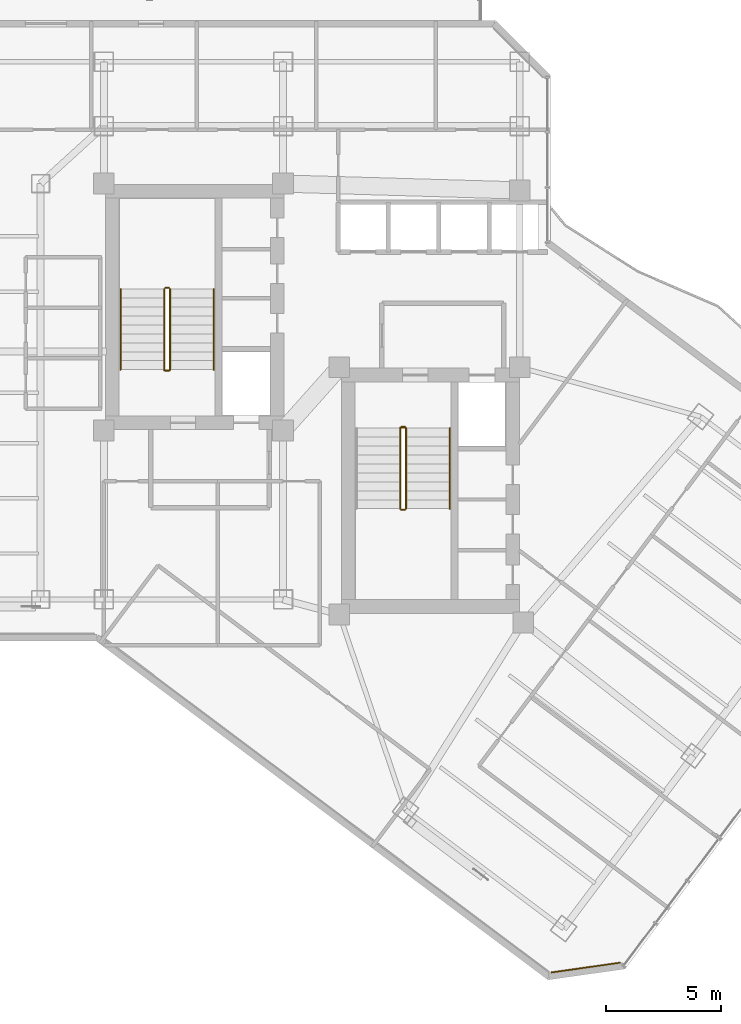
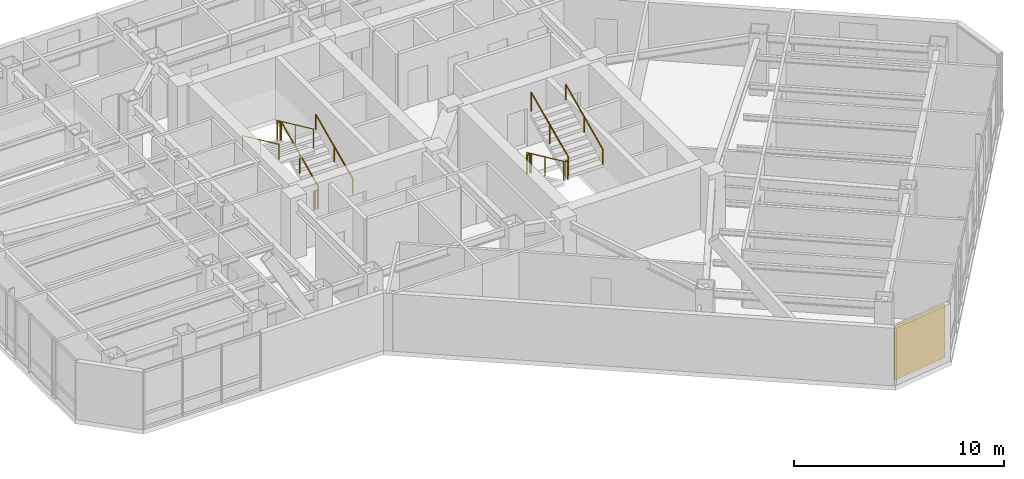
# One storey, part 27 of 29: 13 railings, 1 covering.
"""IFC4 building model written with IfcOpenShell, lengths in metres."""

from ifc_helpers import new_model, si_unit, direction, frame, origin, origin_2d, place, context, subcontext, project, spatial, rectangle, circle, extrude, material, layer, layer_set, type_object, element, save


model = new_model("IFC4")

# Units and contexts
model_context = context("Model", 3, precision=1e-05, world=origin(), true_north=direction((0.0, 1.0)))
body_context = subcontext(model_context, "Body", "Model", "MODEL_VIEW")
ifc_project = project(units=[si_unit("LENGTHUNIT", "METRE"), si_unit("AREAUNIT", "SQUARE_METRE"), si_unit("VOLUMEUNIT", "CUBIC_METRE"), si_unit("PLANEANGLEUNIT", "RADIAN"), si_unit("MASSUNIT", "GRAM", prefix="KILO")], contexts=[model_context])

# Site, building, storey
site_placement = place(None, origin())
site = spatial("IfcSite", under=ifc_project, at=site_placement, CompositionType="ELEMENT")
building_placement = place(site_placement, origin())
building = spatial("IfcBuilding", under=site, at=building_placement, Name="Hatsunagi Terrace Concourse", CompositionType="ELEMENT")
storey_placement = place(building_placement, frame((0.0, 0.0, 149.25)))
storey = spatial("IfcBuildingStorey", under=building, at=storey_placement, Name="L39", CompositionType="ELEMENT", Elevation=149.25)

# Railings
ifc_material_1 = material(Name="Stainless steel", Category="steel")
ifc_layer_1 = layer(ifc_material_1, 0.044921875)
ifc_layer_set_1 = layer_set([ifc_layer_1], Name="StairPitchHandrail_Tower2000")
railing_type_1 = type_object("IfcRailingType", Name="StairPitchHandrail_Tower2000", PredefinedType="HANDRAIL", material=ifc_layer_set_1)
railing_1_placement = place(storey_placement, frame((30.330078125, 35.199951171875, 0.179931640625)))
element("IfcRailing", 1, at=railing_1_placement, inside=storey, type_object=railing_type_1, Name="L39 ST-A stair handrail 1", PredefinedType="HANDRAIL", context=body_context, shape_type="SweptSolid", body=[
    extrude(circle(Radius=0.02392578125, at=origin_2d()), frame((0.0, 0.0, 0.8759765625), z_axis=(0.0, 0.907948293929, 0.419082206198), x_axis=(-1.0, 0.0, 0.0)), (0.0, 0.0, 1.0), 3.865966796875),
    extrude(circle(Radius=0.02099609375, at=origin_2d()), origin(), (0.0, 0.0, 1.0), 0.851806640625),
    extrude(circle(Radius=0.02099609375, at=origin_2d()), frame((0.0, 1.7548828125, 0.81005859375)), (0.0, 0.0, 1.0), 0.851806640625),
    extrude(circle(Radius=0.02099609375, at=origin_2d()), frame((0.0, 3.510009765625, 1.6201171875)), (0.0, 0.0, 1.0), 0.851806640625),
])
railing_2_placement = place(storey_placement, frame((26.280029296875, 38.7099609375, 1.97998046875)))
element("IfcRailing", 2, at=railing_2_placement, inside=storey, type_object=railing_type_1, Name="L39 ST-A stair handrail 2", PredefinedType="HANDRAIL", context=body_context, shape_type="SweptSolid", body=[
    extrude(circle(Radius=0.02392578125, at=origin_2d()), frame((0.0, 0.0, 0.8759765625), z_axis=(0.0, -0.907948293929, 0.419082206198), x_axis=(1.0, 0.0, 0.0)), (0.0, 0.0, 1.0), 3.865966796875),
    extrude(circle(Radius=0.02099609375, at=origin_2d()), origin(), (0.0, 0.0, 1.0), 0.851806640625),
    extrude(circle(Radius=0.02099609375, at=origin_2d()), frame((0.0, -1.7548828125, 0.81005859375)), (0.0, 0.0, 1.0), 0.851806640625),
    extrude(circle(Radius=0.02099609375, at=origin_2d()), frame((0.0, -3.510009765625, 1.6201171875)), (0.0, 0.0, 1.0), 0.851806640625),
])
railing_3_placement = place(storey_placement, frame((40.60009765625, 29.14990234375, 1.97998046875)))
element("IfcRailing", 3, at=railing_3_placement, inside=storey, type_object=railing_type_1, Name="L39 ST-B stair handrail 2", PredefinedType="HANDRAIL", context=body_context, shape_type="SweptSolid", body=[
    extrude(circle(Radius=0.02392578125, at=origin_2d()), frame((0.0, 0.0, 0.8759765625), z_axis=(0.0, 0.907948293929, 0.419082206198), x_axis=(-1.0, 0.0, 0.0)), (0.0, 0.0, 1.0), 3.865966796875),
    extrude(circle(Radius=0.02099609375, at=origin_2d()), origin(), (0.0, 0.0, 1.0), 0.851806640625),
    extrude(circle(Radius=0.02099609375, at=origin_2d()), frame((0.0, 1.7548828125, 0.81005859375)), (0.0, 0.0, 1.0), 0.851806640625),
    extrude(circle(Radius=0.02099609375, at=origin_2d()), frame((0.0, 3.510009765625, 1.6201171875)), (0.0, 0.0, 1.0), 0.851806640625),
])
ifc_material_2 = material(Name="Stainless steel", Category="steel")
ifc_layer_2 = layer(ifc_material_2, 0.06005859375)
ifc_layer_set_2 = layer_set([ifc_layer_2], Name="StairWellGuard_Tower2000")
railing_type_2 = type_object("IfcRailingType", Name="StairWellGuard_Tower2000", PredefinedType="BALUSTRADE", material=ifc_layer_set_2)
railing_4_placement = place(storey_placement, frame((28.429931640625, 35.199951171875, 0.179931640625)))
element("IfcRailing", 4, at=railing_4_placement, inside=storey, type_object=railing_type_2, Name="L39 ST-A stair guard 1", PredefinedType="BALUSTRADE", context=body_context, shape_type="SweptSolid", body=[
    extrude(circle(Radius=0.02392578125, at=origin_2d()), frame((0.0, 0.0, 1.09619140625), z_axis=(0.0, 0.907948293929, 0.419082206198), x_axis=(-1.0, 0.0, 0.0)), (0.0, 0.0, 1.0), 3.865966796875),
    extrude(circle(Radius=0.02099609375, at=origin_2d()), origin(), (0.0, 0.0, 1.0), 1.072021484375),
    extrude(circle(Radius=0.02099609375, at=origin_2d()), frame((0.0, 1.7548828125, 0.81005859375)), (0.0, 0.0, 1.0), 1.072021484375),
    extrude(circle(Radius=0.02099609375, at=origin_2d()), frame((0.0, 3.510009765625, 1.6201171875)), (0.0, 0.0, 1.0), 1.072021484375),
])
railing_5_placement = place(storey_placement, frame((28.3798828125, 38.760009765625, 1.800048828125)))
element("IfcRailing", 5, at=railing_5_placement, inside=storey, type_object=railing_type_2, Name="L39 ST-A stair guard 2", PredefinedType="BALUSTRADE", context=body_context, shape_type="SweptSolid", body=[
    extrude(circle(Radius=0.02392578125, at=origin_2d()), frame((0.0, 0.0, 1.09619140625), z_axis=(-1.0, 0.0, 0.0), x_axis=(0.0, -1.0, 0.0)), (0.0, 0.0, 1.0), 0.14990234375),
    extrude(circle(Radius=0.02099609375, at=origin_2d()), origin(), (0.0, 0.0, 1.0), 1.072021484375),
    extrude(circle(Radius=0.02099609375, at=origin_2d()), frame((-0.14990234375, 0.0, 0.0)), (0.0, 0.0, 1.0), 1.072021484375),
])
railing_6_placement = place(storey_placement, frame((28.179931640625, 38.7099609375, 1.97998046875)))
element("IfcRailing", 6, at=railing_6_placement, inside=storey, type_object=railing_type_2, Name="L39 ST-A stair guard 3", PredefinedType="BALUSTRADE", context=body_context, shape_type="SweptSolid", body=[
    extrude(circle(Radius=0.02392578125, at=origin_2d()), frame((0.0, 0.0, 1.09619140625), z_axis=(0.0, -0.907948293929, 0.419082206198), x_axis=(1.0, 0.0, 0.0)), (0.0, 0.0, 1.0), 3.865966796875),
    extrude(circle(Radius=0.02099609375, at=origin_2d()), origin(), (0.0, 0.0, 1.0), 1.072021484375),
    extrude(circle(Radius=0.02099609375, at=origin_2d()), frame((0.0, -1.7548828125, 0.81005859375)), (0.0, 0.0, 1.0), 1.072021484375),
    extrude(circle(Radius=0.02099609375, at=origin_2d()), frame((0.0, -3.510009765625, 1.6201171875)), (0.0, 0.0, 1.0), 1.072021484375),
])
railing_7_placement = place(storey_placement, frame((28.3798828125, 35.14990234375, 0.0)))
element("IfcRailing", 7, at=railing_7_placement, inside=storey, type_object=railing_type_2, Name="L39 ST-A stair guard 4", PredefinedType="BALUSTRADE", context=body_context, shape_type="SweptSolid", body=[
    extrude(circle(Radius=0.02392578125, at=origin_2d()), frame((0.0, 0.0, 1.09619140625), z_axis=(-1.0, 0.0, 0.0), x_axis=(0.0, -1.0, 0.0)), (0.0, 0.0, 1.0), 0.14990234375),
    extrude(circle(Radius=0.02099609375, at=origin_2d()), origin(), (0.0, 0.0, 1.0), 1.072021484375),
    extrude(circle(Radius=0.02099609375, at=origin_2d()), frame((-0.14990234375, 0.0, 0.0)), (0.0, 0.0, 1.0), 1.072021484375),
])
railing_8_placement = place(storey_placement, frame((38.449951171875, 32.659912109375, 0.179931640625)))
element("IfcRailing", 8, at=railing_8_placement, inside=storey, type_object=railing_type_2, Name="L39 ST-B stair guard 1", PredefinedType="BALUSTRADE", context=body_context, shape_type="SweptSolid", body=[
    extrude(circle(Radius=0.02392578125, at=origin_2d()), frame((0.0, 0.0, 1.09619140625), z_axis=(0.0, -0.907948293929, 0.419082206198), x_axis=(1.0, 0.0, 0.0)), (0.0, 0.0, 1.0), 3.865966796875),
    extrude(circle(Radius=0.02099609375, at=origin_2d()), origin(), (0.0, 0.0, 1.0), 1.072021484375),
    extrude(circle(Radius=0.02099609375, at=origin_2d()), frame((0.0, -1.7548828125, 0.81005859375)), (0.0, 0.0, 1.0), 1.072021484375),
    extrude(circle(Radius=0.02099609375, at=origin_2d()), frame((0.0, -3.510009765625, 1.6201171875)), (0.0, 0.0, 1.0), 1.072021484375),
])
railing_9_placement = place(storey_placement, frame((38.5, 29.10009765625, 1.800048828125)))
element("IfcRailing", 9, at=railing_9_placement, inside=storey, type_object=railing_type_2, Name="L39 ST-B stair guard 2", PredefinedType="BALUSTRADE", context=body_context, shape_type="SweptSolid", body=[
    extrude(circle(Radius=0.02392578125, at=origin_2d()), frame((0.0, 0.0, 1.09619140625), z_axis=(1.0, 0.0, 0.0), x_axis=(0.0, 1.0, 0.0)), (0.0, 0.0, 1.0), 0.14990234375),
    extrude(circle(Radius=0.02099609375, at=origin_2d()), origin(), (0.0, 0.0, 1.0), 1.072021484375),
    extrude(circle(Radius=0.02099609375, at=origin_2d()), frame((0.14990234375, 0.0, 0.0)), (0.0, 0.0, 1.0), 1.072021484375),
])
railing_10_placement = place(storey_placement, frame((38.699951171875, 29.14990234375, 1.97998046875)))
element("IfcRailing", 10, at=railing_10_placement, inside=storey, type_object=railing_type_2, Name="L39 ST-B stair guard 3", PredefinedType="BALUSTRADE", context=body_context, shape_type="SweptSolid", body=[
    extrude(circle(Radius=0.02392578125, at=origin_2d()), frame((0.0, 0.0, 1.09619140625), z_axis=(0.0, 0.907948293929, 0.419082206198), x_axis=(-1.0, 0.0, 0.0)), (0.0, 0.0, 1.0), 3.865966796875),
    extrude(circle(Radius=0.02099609375, at=origin_2d()), origin(), (0.0, 0.0, 1.0), 1.072021484375),
    extrude(circle(Radius=0.02099609375, at=origin_2d()), frame((0.0, 1.7548828125, 0.81005859375)), (0.0, 0.0, 1.0), 1.072021484375),
    extrude(circle(Radius=0.02099609375, at=origin_2d()), frame((0.0, 3.510009765625, 1.6201171875)), (0.0, 0.0, 1.0), 1.072021484375),
])
railing_11_placement = place(storey_placement, frame((38.5, 32.7099609375, 0.0)))
element("IfcRailing", 11, at=railing_11_placement, inside=storey, type_object=railing_type_2, Name="L39 ST-B stair guard 4", PredefinedType="BALUSTRADE", context=body_context, shape_type="SweptSolid", body=[
    extrude(circle(Radius=0.02392578125, at=origin_2d()), frame((0.0, 0.0, 1.09619140625), z_axis=(1.0, 0.0, 0.0), x_axis=(0.0, 1.0, 0.0)), (0.0, 0.0, 1.0), 0.14990234375),
    extrude(circle(Radius=0.02099609375, at=origin_2d()), origin(), (0.0, 0.0, 1.0), 1.072021484375),
    extrude(circle(Radius=0.02099609375, at=origin_2d()), frame((0.14990234375, 0.0, 0.0)), (0.0, 0.0, 1.0), 1.072021484375),
])
ifc_material_3 = material(Name="Stainless Steel SUS316 Post-and-Rail Guard", Category="steel")
ifc_layer_3 = layer(ifc_material_3, 0.080078125)
ifc_layer_set_3 = layer_set([ifc_layer_3], Name="TerracePlantedGuardRail_1200")
railing_type_3 = type_object("IfcRailingType", Name="TerracePlantedGuardRail_1200", PredefinedType="GUARDRAIL", material=ifc_layer_set_3)
for number, where, name in (
    (12, (28.179931640625, 35.179931640625, 0.0), "Stair ST-A Well Closure Guard L39"),
    (13, (38.449951171875, 32.679931640625, 0.0), "Stair ST-B Well Closure Guard L39"),
):
    element("IfcRailing", number, at=place(storey_placement, frame(where)), inside=storey, type_object=railing_type_3, Name=name, PredefinedType="GUARDRAIL", context=body_context, shape_type="SweptSolid", body=[
        extrude(circle(Radius=0.02392578125, at=origin_2d()), frame((0.0, 0.0, 1.09619140625), z_axis=(1.0, 0.0, 0.0), x_axis=(0.0, 1.0, 0.0)), (0.0, 0.0, 1.0), 0.25),
        extrude(circle(Radius=0.02099609375, at=origin_2d()), origin(), (0.0, 0.0, 1.0), 1.072021484375),
        extrude(circle(Radius=0.02099609375, at=origin_2d()), frame((0.25, 0.0, 0.0)), (0.0, 0.0, 1.0), 1.072021484375),
    ])

# Covering
ifc_material_4 = material(Name="Unglazed Warm Terracotta Rainscreen Tile", Category="masonry")
ifc_layer_4 = layer(ifc_material_4, 0.044921875)
ifc_layer_set_4 = layer_set([ifc_layer_4], Name="TerracottaRainscreenCladding_45")
covering_type = type_object("IfcCoveringType", Name="TerracottaRainscreenCladding_45", PredefinedType="CLADDING", material=ifc_layer_set_4)
covering_placement = place(storey_placement, frame((46.51806640625, 9.178955078125, 0.10009765625), z_axis=(0.0, 0.0, 1.0), x_axis=(-0.989973920543, -0.141250262458, 0.0)))
element("IfcCovering", 14, at=covering_placement, inside=storey, type_object=covering_type, Name="Terracotta Rainscreen Cladding L39-04", PredefinedType="CLADDING", context=body_context, shape_type="SweptSolid", body=[
    extrude(rectangle(XDim=3.0380859375, YDim=0.044921875, at=origin_2d()), origin(), (0.0, 0.0, 1.0), 3.14990234375),
])

save(model, "model.ifc")
